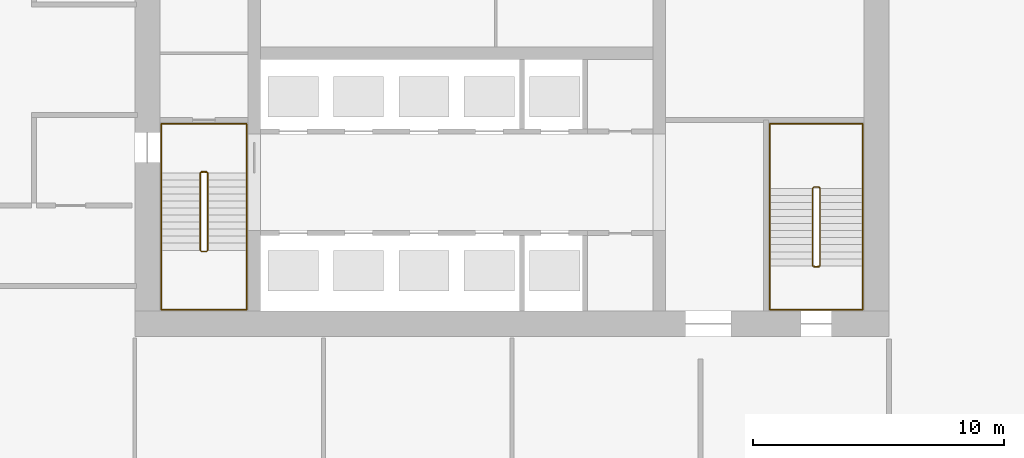
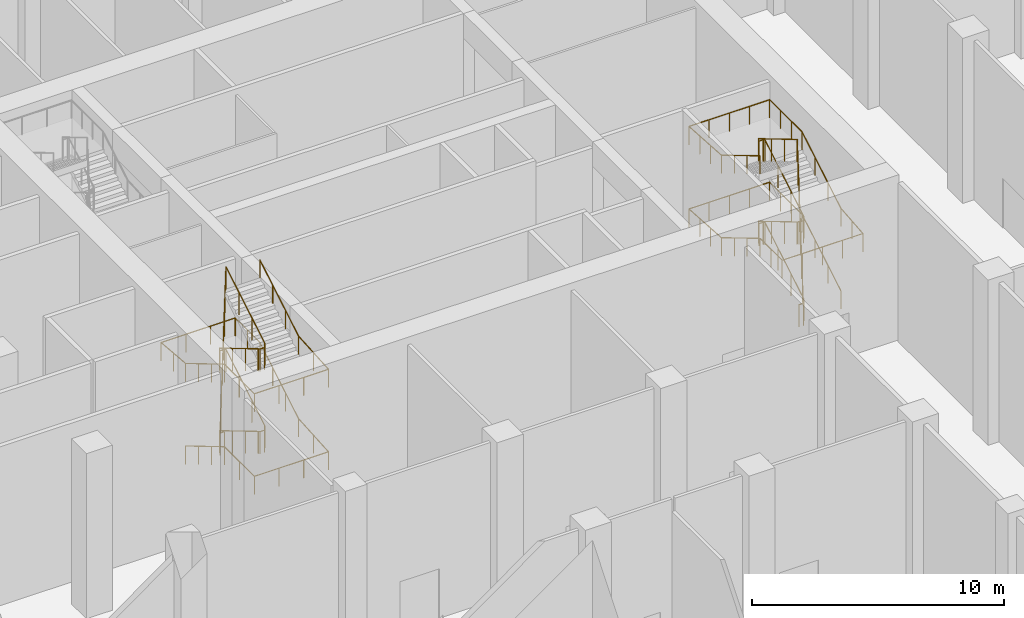
# One storey, part 41 of 57: 4 railings.
"""IFC4 building model written with IfcOpenShell, lengths in metres."""

from ifc_helpers import new_model, si_unit, direction, frame, origin, origin_2d, place, context, subcontext, project, spatial, circle, extrude, material, type_object, element, save


model = new_model("IFC4")

# Units and contexts
model_context = context("Model", 3, precision=1e-05, world=origin(), true_north=direction((0.0, 1.0)))
body_context = subcontext(model_context, "Body", "Model", "MODEL_VIEW")
ifc_project = project(units=[si_unit("LENGTHUNIT", "METRE"), si_unit("AREAUNIT", "SQUARE_METRE"), si_unit("VOLUMEUNIT", "CUBIC_METRE"), si_unit("PLANEANGLEUNIT", "RADIAN"), si_unit("MASSUNIT", "GRAM", prefix="KILO")], contexts=[model_context])

# Site, building, storey
site_placement = place(None, origin())
site = spatial("IfcSite", under=ifc_project, at=site_placement, CompositionType="ELEMENT")
building_placement = place(site_placement, origin())
building = spatial("IfcBuilding", under=site, at=building_placement, Name="Tamorin Gate", CompositionType="ELEMENT")
storey_placement = place(building_placement, origin())
storey = spatial("IfcBuildingStorey", under=building, at=storey_placement, Name="L00", CompositionType="ELEMENT", Elevation=0.0)

# Railings
ifc_material_1 = material(Name="Painted steel balustrade", Category="steel")
railing_type_1 = type_object("IfcRailingType", Name="Stair guard 1100", PredefinedType="GUARDRAIL", material=ifc_material_1)
railing_1_placement = place(storey_placement, frame((32.60009765625, 66.5, 0.166748046875)))
element("IfcRailing", 1, at=railing_1_placement, inside=storey, type_object=railing_type_1, Name="L00 ST1 stair guard 1", PredefinedType="GUARDRAIL", context=body_context, shape_type="SweptSolid", body=[
    extrude(circle(Radius=0.02392578125, at=origin_2d()), frame((0.0, 0.0, 1.076171875), z_axis=(0.0, -0.859308565015, 0.511457515432), x_axis=(1.0, 0.0, 0.0)), (0.0, 0.0, 1.0), 3.58447265625),
    extrude(circle(Radius=0.02392578125, at=origin_2d()), frame((0.0, -3.080078125, 2.9091796875), z_axis=(0.707106781187, -0.707106781187, 0.0), x_axis=(0.707106781187, 0.707106781187, 0.0)), (0.0, 0.0, 1.0), 0.0703125),
    extrude(circle(Radius=0.02392578125, at=origin_2d()), frame((0.0498046875, -3.1298828125, 2.9091796875), z_axis=(1.0, 0.0, 0.0), x_axis=(0.0, 1.0, 0.0)), (0.0, 0.0, 1.0), 0.2001953125),
    extrude(circle(Radius=0.02392578125, at=origin_2d()), frame((0.25, -3.1298828125, 2.9091796875), z_axis=(0.275143339093, 0.275143339093, 0.92119068922), x_axis=(-0.707106781187, 0.707106781187, 0.0)), (0.0, 0.0, 1.0), 0.180908203125),
    extrude(circle(Radius=0.02392578125, at=origin_2d()), frame((0.2998046875, -3.080078125, 3.076171875), z_axis=(0.0, 0.859308565015, 0.511457515432), x_axis=(-1.0, 0.0, 0.0)), (0.0, 0.0, 1.0), 3.58447265625),
    extrude(circle(Radius=0.02392578125, at=origin_2d()), frame((0.2998046875, 0.0, 4.9091796875), z_axis=(-0.98054382908, 0.196300278283, 0.0), x_axis=(-0.196300278283, -0.98054382908, 0.0)), (0.0, 0.0, 1.0), 0.2548828125),
    extrude(circle(Radius=0.02392578125, at=origin_2d()), frame((0.0498046875, 0.050048828125, 4.9091796875), z_axis=(1.0, 0.0, 0.0), x_axis=(0.0, 1.0, 0.0)), (0.0, 0.0, 1.0), 0.2001953125),
    extrude(circle(Radius=0.02392578125, at=origin_2d()), frame((0.25, 0.050048828125, 4.9091796875), z_axis=(-0.820621892478, -0.164284656209, 0.547348391174), x_axis=(0.196300278283, -0.98054382908, 0.0)), (0.0, 0.0, 1.0), 0.3046875),
    extrude(circle(Radius=0.02392578125, at=origin_2d()), frame((0.0, 0.0, 5.076171875), z_axis=(0.0, -0.859308565015, 0.511457515432), x_axis=(1.0, 0.0, 0.0)), (0.0, 0.0, 1.0), 3.58447265625),
    extrude(circle(Radius=0.02392578125, at=origin_2d()), frame((0.0, -3.080078125, 6.9091796875), z_axis=(0.707106781187, -0.707106781187, 0.0), x_axis=(0.707106781187, 0.707106781187, 0.0)), (0.0, 0.0, 1.0), 0.0703125),
    extrude(circle(Radius=0.02392578125, at=origin_2d()), frame((0.0498046875, -3.1298828125, 6.9091796875), z_axis=(1.0, 0.0, 0.0), x_axis=(0.0, 1.0, 0.0)), (0.0, 0.0, 1.0), 0.2001953125),
    extrude(circle(Radius=0.02392578125, at=origin_2d()), frame((0.25, -3.1298828125, 6.9091796875), z_axis=(0.275143339093, 0.275143339093, 0.92119068922), x_axis=(-0.707106781187, 0.707106781187, 0.0)), (0.0, 0.0, 1.0), 0.180908203125),
    extrude(circle(Radius=0.02392578125, at=origin_2d()), frame((0.2998046875, -3.080078125, 7.076171875), z_axis=(0.0, 0.859308565015, 0.511457515432), x_axis=(-1.0, 0.0, 0.0)), (0.0, 0.0, 1.0), 3.58447265625),
    extrude(circle(Radius=0.02392578125, at=origin_2d()), frame((0.2998046875, 0.0, 8.9091796875), z_axis=(-0.031234141746, 0.006252928768, -0.999492535876), x_axis=(-0.196300278283, -0.98054382908, 0.0)), (0.0, 0.0, 1.0), 8.004150390625),
    extrude(circle(Radius=0.02392578125, at=origin_2d()), frame((0.0498046875, 0.050048828125, 0.9091796875), z_axis=(1.0, 0.0, 0.0), x_axis=(0.0, 1.0, 0.0)), (0.0, 0.0, 1.0), 0.2001953125),
    extrude(circle(Radius=0.02099609375, at=origin_2d()), origin(), (0.0, 0.0, 1.0), 1.052001953125),
    extrude(circle(Radius=0.02099609375, at=origin_2d()), frame((0.0, -1.026611328125, 0.611083984375)), (0.0, 0.0, 1.0), 1.052001953125),
    extrude(circle(Radius=0.02099609375, at=origin_2d()), frame((0.0, -2.053466796875, 1.22216796875)), (0.0, 0.0, 1.0), 1.052001953125),
    extrude(circle(Radius=0.02099609375, at=origin_2d()), frame((0.0, -3.080078125, 1.833251953125)), (0.0, 0.0, 1.0), 1.052001953125),
    extrude(circle(Radius=0.02099609375, at=origin_2d()), frame((0.0498046875, -3.1298828125, 1.833251953125)), (0.0, 0.0, 1.0), 1.052001953125),
    extrude(circle(Radius=0.02099609375, at=origin_2d()), frame((0.25, -3.1298828125, 1.833251953125)), (0.0, 0.0, 1.0), 1.052001953125),
    extrude(circle(Radius=0.02099609375, at=origin_2d()), frame((0.2998046875, -3.080078125, 2.0)), (0.0, 0.0, 1.0), 1.052001953125),
    extrude(circle(Radius=0.02099609375, at=origin_2d()), frame((0.2998046875, -2.053466796875, 2.611083984375)), (0.0, 0.0, 1.0), 1.052001953125),
    extrude(circle(Radius=0.02099609375, at=origin_2d()), frame((0.2998046875, -1.026611328125, 3.22216796875)), (0.0, 0.0, 1.0), 1.052001953125),
    extrude(circle(Radius=0.02099609375, at=origin_2d()), frame((0.2998046875, 0.0, 3.833251953125)), (0.0, 0.0, 1.0), 1.052001953125),
    extrude(circle(Radius=0.02099609375, at=origin_2d()), frame((0.0498046875, 0.050048828125, 3.833251953125)), (0.0, 0.0, 1.0), 1.052001953125),
    extrude(circle(Radius=0.02099609375, at=origin_2d()), frame((0.25, 0.050048828125, 3.833251953125)), (0.0, 0.0, 1.0), 1.052001953125),
    extrude(circle(Radius=0.02099609375, at=origin_2d()), frame((0.0, 0.0, 4.0)), (0.0, 0.0, 1.0), 1.052001953125),
    extrude(circle(Radius=0.02099609375, at=origin_2d()), frame((0.0, -1.026611328125, 4.611083984375)), (0.0, 0.0, 1.0), 1.052001953125),
    extrude(circle(Radius=0.02099609375, at=origin_2d()), frame((0.0, -2.053466796875, 5.22216796875)), (0.0, 0.0, 1.0), 1.052001953125),
    extrude(circle(Radius=0.02099609375, at=origin_2d()), frame((0.0, -3.080078125, 5.833251953125)), (0.0, 0.0, 1.0), 1.052001953125),
    extrude(circle(Radius=0.02099609375, at=origin_2d()), frame((0.0498046875, -3.1298828125, 5.833251953125)), (0.0, 0.0, 1.0), 1.052001953125),
    extrude(circle(Radius=0.02099609375, at=origin_2d()), frame((0.25, -3.1298828125, 5.833251953125)), (0.0, 0.0, 1.0), 1.052001953125),
    extrude(circle(Radius=0.02099609375, at=origin_2d()), frame((0.2998046875, -3.080078125, 6.0)), (0.0, 0.0, 1.0), 1.052001953125),
    extrude(circle(Radius=0.02099609375, at=origin_2d()), frame((0.2998046875, -2.053466796875, 6.611083984375)), (0.0, 0.0, 1.0), 1.052001953125),
    extrude(circle(Radius=0.02099609375, at=origin_2d()), frame((0.2998046875, -1.026611328125, 7.22216796875)), (0.0, 0.0, 1.0), 1.052001953125),
    extrude(circle(Radius=0.02099609375, at=origin_2d()), frame((0.2998046875, 0.0, 7.833251953125)), (0.0, 0.0, 1.0), 1.052001953125),
    extrude(circle(Radius=0.02099609375, at=origin_2d()), frame((0.26416015625, 0.007080078125, 6.6904296875)), (0.0, 0.0, 1.0), 1.052001953125),
    extrude(circle(Radius=0.02099609375, at=origin_2d()), frame((0.228271484375, 0.014404296875, 5.547607421875)), (0.0, 0.0, 1.0), 1.052001953125),
    extrude(circle(Radius=0.02099609375, at=origin_2d()), frame((0.192626953125, 0.021484375, 4.40478515625)), (0.0, 0.0, 1.0), 1.052001953125),
    extrude(circle(Radius=0.02099609375, at=origin_2d()), frame((0.156982421875, 0.028564453125, 3.26171875)), (0.0, 0.0, 1.0), 1.052001953125),
    extrude(circle(Radius=0.02099609375, at=origin_2d()), frame((0.121337890625, 0.03564453125, 2.118896484375)), (0.0, 0.0, 1.0), 1.052001953125),
    extrude(circle(Radius=0.02099609375, at=origin_2d()), frame((0.08544921875, 0.04296875, 0.97607421875)), (0.0, 0.0, 1.0), 1.052001953125),
    extrude(circle(Radius=0.02099609375, at=origin_2d()), frame((0.0498046875, 0.050048828125, -0.166748046875)), (0.0, 0.0, 1.0), 1.052001953125),
    extrude(circle(Radius=0.02099609375, at=origin_2d()), frame((0.25, 0.050048828125, -0.166748046875)), (0.0, 0.0, 1.0), 1.052001953125),
])
railing_2_placement = place(storey_placement, frame((57.25, 62.800048828125, 0.166748046875)))
element("IfcRailing", 2, at=railing_2_placement, inside=storey, type_object=railing_type_1, Name="L00 ST3 stair guard 1", PredefinedType="GUARDRAIL", context=body_context, shape_type="SweptSolid", body=[
    extrude(circle(Radius=0.02392578125, at=origin_2d()), frame((0.0, 0.0, 1.076171875), z_axis=(0.0, 0.859290745958, 0.51148745235), x_axis=(-1.0, 0.0, 0.0)), (0.0, 0.0, 1.0), 3.584228515625),
    extrude(circle(Radius=0.02392578125, at=origin_2d()), frame((0.0, 3.079833984375, 2.9091796875), z_axis=(-0.707106781187, 0.707106781187, 0.0), x_axis=(-0.707106781187, -0.707106781187, 0.0)), (0.0, 0.0, 1.0), 0.07080078125),
    extrude(circle(Radius=0.02392578125, at=origin_2d()), frame((-0.050048828125, 3.1298828125, 2.9091796875), z_axis=(-1.0, 0.0, 0.0), x_axis=(0.0, -1.0, 0.0)), (0.0, 0.0, 1.0), 0.199951171875),
    extrude(circle(Radius=0.02392578125, at=origin_2d()), frame((-0.25, 3.1298828125, 2.9091796875), z_axis=(-0.27628659633, -0.27628659633, 0.920506074601), x_axis=(0.707106781187, -0.707106781187, 0.0)), (0.0, 0.0, 1.0), 0.18115234375),
    extrude(circle(Radius=0.02392578125, at=origin_2d()), frame((-0.300048828125, 3.079833984375, 3.076171875), z_axis=(0.0, -0.859290745958, 0.51148745235), x_axis=(1.0, 0.0, 0.0)), (0.0, 0.0, 1.0), 3.584228515625),
    extrude(circle(Radius=0.02392578125, at=origin_2d()), frame((-0.300048828125, 0.0, 4.9091796875), z_axis=(0.98054382908, -0.196300278283, 0.0), x_axis=(0.196300278283, 0.98054382908, 0.0)), (0.0, 0.0, 1.0), 0.2548828125),
    extrude(circle(Radius=0.02392578125, at=origin_2d()), frame((-0.050048828125, -0.050048828125, 4.9091796875), z_axis=(-1.0, 0.0, 0.0), x_axis=(0.0, -1.0, 0.0)), (0.0, 0.0, 1.0), 0.199951171875),
    extrude(circle(Radius=0.02392578125, at=origin_2d()), frame((-0.25, -0.050048828125, 4.9091796875), z_axis=(0.820621892478, 0.164284656209, 0.547348391174), x_axis=(-0.196300278283, 0.98054382908, 0.0)), (0.0, 0.0, 1.0), 0.3046875),
    extrude(circle(Radius=0.02392578125, at=origin_2d()), frame((0.0, 0.0, 5.076171875), z_axis=(0.0, 0.859290745958, 0.51148745235), x_axis=(-1.0, 0.0, 0.0)), (0.0, 0.0, 1.0), 3.584228515625),
    extrude(circle(Radius=0.02392578125, at=origin_2d()), frame((0.0, 3.079833984375, 6.9091796875), z_axis=(-0.707106781187, 0.707106781187, 0.0), x_axis=(-0.707106781187, -0.707106781187, 0.0)), (0.0, 0.0, 1.0), 0.07080078125),
    extrude(circle(Radius=0.02392578125, at=origin_2d()), frame((-0.050048828125, 3.1298828125, 6.9091796875), z_axis=(-1.0, 0.0, 0.0), x_axis=(0.0, -1.0, 0.0)), (0.0, 0.0, 1.0), 0.199951171875),
    extrude(circle(Radius=0.02392578125, at=origin_2d()), frame((-0.25, 3.1298828125, 6.9091796875), z_axis=(-0.27628659633, -0.27628659633, 0.920506074601), x_axis=(0.707106781187, -0.707106781187, 0.0)), (0.0, 0.0, 1.0), 0.18115234375),
    extrude(circle(Radius=0.02392578125, at=origin_2d()), frame((-0.300048828125, 3.079833984375, 7.076171875), z_axis=(0.0, -0.859290745958, 0.51148745235), x_axis=(1.0, 0.0, 0.0)), (0.0, 0.0, 1.0), 3.584228515625),
    extrude(circle(Radius=0.02392578125, at=origin_2d()), frame((-0.300048828125, 0.0, 8.9091796875), z_axis=(0.031234141746, -0.006252928768, -0.999492535876), x_axis=(0.196300278283, 0.98054382908, 0.0)), (0.0, 0.0, 1.0), 8.004150390625),
    extrude(circle(Radius=0.02392578125, at=origin_2d()), frame((-0.050048828125, -0.050048828125, 0.9091796875), z_axis=(-1.0, 0.0, 0.0), x_axis=(0.0, -1.0, 0.0)), (0.0, 0.0, 1.0), 0.199951171875),
    extrude(circle(Radius=0.02099609375, at=origin_2d()), origin(), (0.0, 0.0, 1.0), 1.052001953125),
    extrude(circle(Radius=0.02099609375, at=origin_2d()), frame((0.0, 1.026611328125, 0.611083984375)), (0.0, 0.0, 1.0), 1.052001953125),
    extrude(circle(Radius=0.02099609375, at=origin_2d()), frame((0.0, 2.05322265625, 1.22216796875)), (0.0, 0.0, 1.0), 1.052001953125),
    extrude(circle(Radius=0.02099609375, at=origin_2d()), frame((0.0, 3.079833984375, 1.833251953125)), (0.0, 0.0, 1.0), 1.052001953125),
    extrude(circle(Radius=0.02099609375, at=origin_2d()), frame((-0.050048828125, 3.1298828125, 1.833251953125)), (0.0, 0.0, 1.0), 1.052001953125),
    extrude(circle(Radius=0.02099609375, at=origin_2d()), frame((-0.25, 3.1298828125, 1.833251953125)), (0.0, 0.0, 1.0), 1.052001953125),
    extrude(circle(Radius=0.02099609375, at=origin_2d()), frame((-0.300048828125, 3.079833984375, 2.0)), (0.0, 0.0, 1.0), 1.052001953125),
    extrude(circle(Radius=0.02099609375, at=origin_2d()), frame((-0.300048828125, 2.05322265625, 2.611083984375)), (0.0, 0.0, 1.0), 1.052001953125),
    extrude(circle(Radius=0.02099609375, at=origin_2d()), frame((-0.300048828125, 1.026611328125, 3.22216796875)), (0.0, 0.0, 1.0), 1.052001953125),
    extrude(circle(Radius=0.02099609375, at=origin_2d()), frame((-0.300048828125, 0.0, 3.833251953125)), (0.0, 0.0, 1.0), 1.052001953125),
    extrude(circle(Radius=0.02099609375, at=origin_2d()), frame((-0.050048828125, -0.050048828125, 3.833251953125)), (0.0, 0.0, 1.0), 1.052001953125),
    extrude(circle(Radius=0.02099609375, at=origin_2d()), frame((-0.25, -0.050048828125, 3.833251953125)), (0.0, 0.0, 1.0), 1.052001953125),
    extrude(circle(Radius=0.02099609375, at=origin_2d()), frame((0.0, 0.0, 4.0)), (0.0, 0.0, 1.0), 1.052001953125),
    extrude(circle(Radius=0.02099609375, at=origin_2d()), frame((0.0, 1.026611328125, 4.611083984375)), (0.0, 0.0, 1.0), 1.052001953125),
    extrude(circle(Radius=0.02099609375, at=origin_2d()), frame((0.0, 2.05322265625, 5.22216796875)), (0.0, 0.0, 1.0), 1.052001953125),
    extrude(circle(Radius=0.02099609375, at=origin_2d()), frame((0.0, 3.079833984375, 5.833251953125)), (0.0, 0.0, 1.0), 1.052001953125),
    extrude(circle(Radius=0.02099609375, at=origin_2d()), frame((-0.050048828125, 3.1298828125, 5.833251953125)), (0.0, 0.0, 1.0), 1.052001953125),
    extrude(circle(Radius=0.02099609375, at=origin_2d()), frame((-0.25, 3.1298828125, 5.833251953125)), (0.0, 0.0, 1.0), 1.052001953125),
    extrude(circle(Radius=0.02099609375, at=origin_2d()), frame((-0.300048828125, 3.079833984375, 6.0)), (0.0, 0.0, 1.0), 1.052001953125),
    extrude(circle(Radius=0.02099609375, at=origin_2d()), frame((-0.300048828125, 2.05322265625, 6.611083984375)), (0.0, 0.0, 1.0), 1.052001953125),
    extrude(circle(Radius=0.02099609375, at=origin_2d()), frame((-0.300048828125, 1.026611328125, 7.22216796875)), (0.0, 0.0, 1.0), 1.052001953125),
    extrude(circle(Radius=0.02099609375, at=origin_2d()), frame((-0.300048828125, 0.0, 7.833251953125)), (0.0, 0.0, 1.0), 1.052001953125),
    extrude(circle(Radius=0.02099609375, at=origin_2d()), frame((-0.264404296875, -0.007080078125, 6.6904296875)), (0.0, 0.0, 1.0), 1.052001953125),
    extrude(circle(Radius=0.02099609375, at=origin_2d()), frame((-0.228515625, -0.014404296875, 5.547607421875)), (0.0, 0.0, 1.0), 1.052001953125),
    extrude(circle(Radius=0.02099609375, at=origin_2d()), frame((-0.19287109375, -0.021484375, 4.40478515625)), (0.0, 0.0, 1.0), 1.052001953125),
    extrude(circle(Radius=0.02099609375, at=origin_2d()), frame((-0.1572265625, -0.028564453125, 3.26171875)), (0.0, 0.0, 1.0), 1.052001953125),
    extrude(circle(Radius=0.02099609375, at=origin_2d()), frame((-0.12158203125, -0.03564453125, 2.118896484375)), (0.0, 0.0, 1.0), 1.052001953125),
    extrude(circle(Radius=0.02099609375, at=origin_2d()), frame((-0.085693359375, -0.04296875, 0.97607421875)), (0.0, 0.0, 1.0), 1.052001953125),
    extrude(circle(Radius=0.02099609375, at=origin_2d()), frame((-0.050048828125, -0.050048828125, -0.166748046875)), (0.0, 0.0, 1.0), 1.052001953125),
    extrude(circle(Radius=0.02099609375, at=origin_2d()), frame((-0.25, -0.050048828125, -0.166748046875)), (0.0, 0.0, 1.0), 1.052001953125),
])
ifc_material_2 = material(Name="Painted steel handrail", Category="steel")
railing_type_2 = type_object("IfcRailingType", Name="Stair handrail 900", PredefinedType="HANDRAIL", material=ifc_material_2)
railing_3_placement = place(storey_placement, frame((31.050048828125, 66.5, 0.166748046875)))
element("IfcRailing", 3, at=railing_3_placement, inside=storey, type_object=railing_type_2, Name="L00 ST1 stair handrail 1", PredefinedType="HANDRAIL", context=body_context, shape_type="SweptSolid", body=[
    extrude(circle(Radius=0.02392578125, at=origin_2d()), frame((0.0, 0.0, 0.8759765625), z_axis=(0.0, -0.859308565015, 0.511457515432), x_axis=(1.0, 0.0, 0.0)), (0.0, 0.0, 1.0), 3.58447265625),
    extrude(circle(Radius=0.02392578125, at=origin_2d()), frame((0.0, -3.080078125, 2.708984375), z_axis=(0.0, -1.0, 0.0), x_axis=(1.0, 0.0, 0.0)), (0.0, 0.0, 1.0), 2.369873046875),
    extrude(circle(Radius=0.02392578125, at=origin_2d()), frame((0.0, -5.449951171875, 2.708984375), z_axis=(1.0, 0.0, 0.0), x_axis=(0.0, 1.0, 0.0)), (0.0, 0.0, 1.0), 3.39990234375),
    extrude(circle(Radius=0.02392578125, at=origin_2d()), frame((3.39990234375, -5.449951171875, 2.708984375), z_axis=(0.0, 0.997533776475, 0.070188067305), x_axis=(-1.0, 0.0, 0.0)), (0.0, 0.0, 1.0), 2.375732421875),
    extrude(circle(Radius=0.02392578125, at=origin_2d()), frame((3.39990234375, -3.080078125, 2.8759765625), z_axis=(0.0, 0.859308565015, 0.511457515432), x_axis=(-1.0, 0.0, 0.0)), (0.0, 0.0, 1.0), 3.58447265625),
    extrude(circle(Radius=0.02392578125, at=origin_2d()), frame((3.39990234375, 0.0, 4.708984375), z_axis=(0.0, 1.0, 0.0), x_axis=(-1.0, 0.0, 0.0)), (0.0, 0.0, 1.0), 1.949951171875),
    extrude(circle(Radius=0.02392578125, at=origin_2d()), frame((3.39990234375, 1.949951171875, 4.708984375), z_axis=(-1.0, 0.0, 0.0), x_axis=(0.0, -1.0, 0.0)), (0.0, 0.0, 1.0), 3.39990234375),
    extrude(circle(Radius=0.02392578125, at=origin_2d()), frame((0.0, 1.949951171875, 4.708984375), z_axis=(0.0, -0.996363612883, 0.085202998322), x_axis=(1.0, 0.0, 0.0)), (0.0, 0.0, 1.0), 1.95703125),
    extrude(circle(Radius=0.02392578125, at=origin_2d()), frame((0.0, 0.0, 4.8759765625), z_axis=(0.0, -0.859308565015, 0.511457515432), x_axis=(1.0, 0.0, 0.0)), (0.0, 0.0, 1.0), 3.58447265625),
    extrude(circle(Radius=0.02392578125, at=origin_2d()), frame((0.0, -3.080078125, 6.708984375), z_axis=(0.0, -1.0, 0.0), x_axis=(1.0, 0.0, 0.0)), (0.0, 0.0, 1.0), 2.369873046875),
    extrude(circle(Radius=0.02392578125, at=origin_2d()), frame((0.0, -5.449951171875, 6.708984375), z_axis=(1.0, 0.0, 0.0), x_axis=(0.0, 1.0, 0.0)), (0.0, 0.0, 1.0), 3.39990234375),
    extrude(circle(Radius=0.02392578125, at=origin_2d()), frame((3.39990234375, -5.449951171875, 6.708984375), z_axis=(0.0, 0.997533776475, 0.070188067305), x_axis=(-1.0, 0.0, 0.0)), (0.0, 0.0, 1.0), 2.375732421875),
    extrude(circle(Radius=0.02392578125, at=origin_2d()), frame((3.39990234375, -3.080078125, 6.8759765625), z_axis=(0.0, 0.859308565015, 0.511457515432), x_axis=(-1.0, 0.0, 0.0)), (0.0, 0.0, 1.0), 3.58447265625),
    extrude(circle(Radius=0.02099609375, at=origin_2d()), origin(), (0.0, 0.0, 1.0), 0.851806640625),
    extrude(circle(Radius=0.02099609375, at=origin_2d()), frame((0.0, -1.026611328125, 0.611083984375)), (0.0, 0.0, 1.0), 0.851806640625),
    extrude(circle(Radius=0.02099609375, at=origin_2d()), frame((0.0, -2.053466796875, 1.22216796875)), (0.0, 0.0, 1.0), 0.851806640625),
    extrude(circle(Radius=0.02099609375, at=origin_2d()), frame((0.0, -3.080078125, 1.833251953125)), (0.0, 0.0, 1.0), 0.851806640625),
    extrude(circle(Radius=0.02099609375, at=origin_2d()), frame((0.0, -4.26513671875, 1.833251953125)), (0.0, 0.0, 1.0), 0.851806640625),
    extrude(circle(Radius=0.02099609375, at=origin_2d()), frame((0.0, -5.449951171875, 1.833251953125)), (0.0, 0.0, 1.0), 0.851806640625),
    extrude(circle(Radius=0.02099609375, at=origin_2d()), frame((1.13330078125, -5.449951171875, 1.833251953125)), (0.0, 0.0, 1.0), 0.851806640625),
    extrude(circle(Radius=0.02099609375, at=origin_2d()), frame((2.2666015625, -5.449951171875, 1.833251953125)), (0.0, 0.0, 1.0), 0.851806640625),
    extrude(circle(Radius=0.02099609375, at=origin_2d()), frame((3.39990234375, -5.449951171875, 1.833251953125)), (0.0, 0.0, 1.0), 0.851806640625),
    extrude(circle(Radius=0.02099609375, at=origin_2d()), frame((3.39990234375, -4.26513671875, 1.91650390625)), (0.0, 0.0, 1.0), 0.851806640625),
    extrude(circle(Radius=0.02099609375, at=origin_2d()), frame((3.39990234375, -3.080078125, 2.0)), (0.0, 0.0, 1.0), 0.851806640625),
    extrude(circle(Radius=0.02099609375, at=origin_2d()), frame((3.39990234375, -2.053466796875, 2.611083984375)), (0.0, 0.0, 1.0), 0.851806640625),
    extrude(circle(Radius=0.02099609375, at=origin_2d()), frame((3.39990234375, -1.026611328125, 3.22216796875)), (0.0, 0.0, 1.0), 0.851806640625),
    extrude(circle(Radius=0.02099609375, at=origin_2d()), frame((3.39990234375, 0.0, 3.833251953125)), (0.0, 0.0, 1.0), 0.851806640625),
    extrude(circle(Radius=0.02099609375, at=origin_2d()), frame((3.39990234375, 0.97509765625, 3.833251953125)), (0.0, 0.0, 1.0), 0.851806640625),
    extrude(circle(Radius=0.02099609375, at=origin_2d()), frame((3.39990234375, 1.949951171875, 3.833251953125)), (0.0, 0.0, 1.0), 0.851806640625),
    extrude(circle(Radius=0.02099609375, at=origin_2d()), frame((2.2666015625, 1.949951171875, 3.833251953125)), (0.0, 0.0, 1.0), 0.851806640625),
    extrude(circle(Radius=0.02099609375, at=origin_2d()), frame((1.13330078125, 1.949951171875, 3.833251953125)), (0.0, 0.0, 1.0), 0.851806640625),
    extrude(circle(Radius=0.02099609375, at=origin_2d()), frame((0.0, 1.949951171875, 3.833251953125)), (0.0, 0.0, 1.0), 0.851806640625),
    extrude(circle(Radius=0.02099609375, at=origin_2d()), frame((0.0, 0.97509765625, 3.91650390625)), (0.0, 0.0, 1.0), 0.851806640625),
    extrude(circle(Radius=0.02099609375, at=origin_2d()), frame((0.0, 0.0, 4.0)), (0.0, 0.0, 1.0), 0.851806640625),
    extrude(circle(Radius=0.02099609375, at=origin_2d()), frame((0.0, -1.026611328125, 4.611083984375)), (0.0, 0.0, 1.0), 0.851806640625),
    extrude(circle(Radius=0.02099609375, at=origin_2d()), frame((0.0, -2.053466796875, 5.22216796875)), (0.0, 0.0, 1.0), 0.851806640625),
    extrude(circle(Radius=0.02099609375, at=origin_2d()), frame((0.0, -3.080078125, 5.833251953125)), (0.0, 0.0, 1.0), 0.851806640625),
    extrude(circle(Radius=0.02099609375, at=origin_2d()), frame((0.0, -4.26513671875, 5.833251953125)), (0.0, 0.0, 1.0), 0.851806640625),
    extrude(circle(Radius=0.02099609375, at=origin_2d()), frame((0.0, -5.449951171875, 5.833251953125)), (0.0, 0.0, 1.0), 0.851806640625),
    extrude(circle(Radius=0.02099609375, at=origin_2d()), frame((1.13330078125, -5.449951171875, 5.833251953125)), (0.0, 0.0, 1.0), 0.851806640625),
    extrude(circle(Radius=0.02099609375, at=origin_2d()), frame((2.2666015625, -5.449951171875, 5.833251953125)), (0.0, 0.0, 1.0), 0.851806640625),
    extrude(circle(Radius=0.02099609375, at=origin_2d()), frame((3.39990234375, -5.449951171875, 5.833251953125)), (0.0, 0.0, 1.0), 0.851806640625),
    extrude(circle(Radius=0.02099609375, at=origin_2d()), frame((3.39990234375, -4.26513671875, 5.91650390625)), (0.0, 0.0, 1.0), 0.851806640625),
    extrude(circle(Radius=0.02099609375, at=origin_2d()), frame((3.39990234375, -3.080078125, 6.0)), (0.0, 0.0, 1.0), 0.851806640625),
    extrude(circle(Radius=0.02099609375, at=origin_2d()), frame((3.39990234375, -2.053466796875, 6.611083984375)), (0.0, 0.0, 1.0), 0.851806640625),
    extrude(circle(Radius=0.02099609375, at=origin_2d()), frame((3.39990234375, -1.026611328125, 7.22216796875)), (0.0, 0.0, 1.0), 0.851806640625),
    extrude(circle(Radius=0.02099609375, at=origin_2d()), frame((3.39990234375, 0.0, 7.833251953125)), (0.0, 0.0, 1.0), 0.851806640625),
])
railing_4_placement = place(storey_placement, frame((58.949951171875, 62.800048828125, 0.166748046875)))
element("IfcRailing", 4, at=railing_4_placement, inside=storey, type_object=railing_type_2, Name="L00 ST3 stair handrail 1", PredefinedType="HANDRAIL", context=body_context, shape_type="SweptSolid", body=[
    extrude(circle(Radius=0.02392578125, at=origin_2d()), frame((0.0, 0.0, 0.8759765625), z_axis=(0.0, 0.859290745958, 0.51148745235), x_axis=(-1.0, 0.0, 0.0)), (0.0, 0.0, 1.0), 3.584228515625),
    extrude(circle(Radius=0.02392578125, at=origin_2d()), frame((0.0, 3.079833984375, 2.708984375), z_axis=(0.0, 1.0, 0.0), x_axis=(-1.0, 0.0, 0.0)), (0.0, 0.0, 1.0), 2.570068359375),
    extrude(circle(Radius=0.02392578125, at=origin_2d()), frame((0.0, 5.64990234375, 2.708984375), z_axis=(-1.0, 0.0, 0.0), x_axis=(0.0, -1.0, 0.0)), (0.0, 0.0, 1.0), 3.699951171875),
    extrude(circle(Radius=0.02392578125, at=origin_2d()), frame((-3.699951171875, 5.64990234375, 2.708984375), z_axis=(0.0, -0.9979018638, 0.06474465403), x_axis=(1.0, 0.0, 0.0)), (0.0, 0.0, 1.0), 2.575439453125),
    extrude(circle(Radius=0.02392578125, at=origin_2d()), frame((-3.699951171875, 3.079833984375, 2.8759765625), z_axis=(0.0, -0.859290745958, 0.51148745235), x_axis=(1.0, 0.0, 0.0)), (0.0, 0.0, 1.0), 3.584228515625),
    extrude(circle(Radius=0.02392578125, at=origin_2d()), frame((-3.699951171875, 0.0, 4.708984375), z_axis=(0.0, -1.0, 0.0), x_axis=(1.0, 0.0, 0.0)), (0.0, 0.0, 1.0), 1.75),
    extrude(circle(Radius=0.02392578125, at=origin_2d()), frame((-3.699951171875, -1.75, 4.708984375), z_axis=(1.0, 0.0, 0.0), x_axis=(0.0, 1.0, 0.0)), (0.0, 0.0, 1.0), 3.699951171875),
    extrude(circle(Radius=0.02392578125, at=origin_2d()), frame((0.0, -1.75, 4.708984375), z_axis=(0.0, 0.995491102282, 0.094854969707), x_axis=(-1.0, 0.0, 0.0)), (0.0, 0.0, 1.0), 1.7578125),
    extrude(circle(Radius=0.02392578125, at=origin_2d()), frame((0.0, 0.0, 4.8759765625), z_axis=(0.0, 0.859290745958, 0.51148745235), x_axis=(-1.0, 0.0, 0.0)), (0.0, 0.0, 1.0), 3.584228515625),
    extrude(circle(Radius=0.02392578125, at=origin_2d()), frame((0.0, 3.079833984375, 6.708984375), z_axis=(0.0, 1.0, 0.0), x_axis=(-1.0, 0.0, 0.0)), (0.0, 0.0, 1.0), 2.570068359375),
    extrude(circle(Radius=0.02392578125, at=origin_2d()), frame((0.0, 5.64990234375, 6.708984375), z_axis=(-1.0, 0.0, 0.0), x_axis=(0.0, -1.0, 0.0)), (0.0, 0.0, 1.0), 3.699951171875),
    extrude(circle(Radius=0.02392578125, at=origin_2d()), frame((-3.699951171875, 5.64990234375, 6.708984375), z_axis=(0.0, -0.9979018638, 0.06474465403), x_axis=(1.0, 0.0, 0.0)), (0.0, 0.0, 1.0), 2.575439453125),
    extrude(circle(Radius=0.02392578125, at=origin_2d()), frame((-3.699951171875, 3.079833984375, 6.8759765625), z_axis=(0.0, -0.859290745958, 0.51148745235), x_axis=(1.0, 0.0, 0.0)), (0.0, 0.0, 1.0), 3.584228515625),
    extrude(circle(Radius=0.02099609375, at=origin_2d()), origin(), (0.0, 0.0, 1.0), 0.851806640625),
    extrude(circle(Radius=0.02099609375, at=origin_2d()), frame((0.0, 1.026611328125, 0.611083984375)), (0.0, 0.0, 1.0), 0.851806640625),
    extrude(circle(Radius=0.02099609375, at=origin_2d()), frame((0.0, 2.05322265625, 1.22216796875)), (0.0, 0.0, 1.0), 0.851806640625),
    extrude(circle(Radius=0.02099609375, at=origin_2d()), frame((0.0, 3.079833984375, 1.833251953125)), (0.0, 0.0, 1.0), 0.851806640625),
    extrude(circle(Radius=0.02099609375, at=origin_2d()), frame((0.0, 3.9365234375, 1.833251953125)), (0.0, 0.0, 1.0), 0.851806640625),
    extrude(circle(Radius=0.02099609375, at=origin_2d()), frame((0.0, 4.793212890625, 1.833251953125)), (0.0, 0.0, 1.0), 0.851806640625),
    extrude(circle(Radius=0.02099609375, at=origin_2d()), frame((0.0, 5.64990234375, 1.833251953125)), (0.0, 0.0, 1.0), 0.851806640625),
    extrude(circle(Radius=0.02099609375, at=origin_2d()), frame((-0.925048828125, 5.64990234375, 1.833251953125)), (0.0, 0.0, 1.0), 0.851806640625),
    extrude(circle(Radius=0.02099609375, at=origin_2d()), frame((-1.85009765625, 5.64990234375, 1.833251953125)), (0.0, 0.0, 1.0), 0.851806640625),
    extrude(circle(Radius=0.02099609375, at=origin_2d()), frame((-2.77490234375, 5.64990234375, 1.833251953125)), (0.0, 0.0, 1.0), 0.851806640625),
    extrude(circle(Radius=0.02099609375, at=origin_2d()), frame((-3.699951171875, 5.64990234375, 1.833251953125)), (0.0, 0.0, 1.0), 0.851806640625),
    extrude(circle(Radius=0.02099609375, at=origin_2d()), frame((-3.699951171875, 4.793212890625, 1.888916015625)), (0.0, 0.0, 1.0), 0.851806640625),
    extrude(circle(Radius=0.02099609375, at=origin_2d()), frame((-3.699951171875, 3.9365234375, 1.9443359375)), (0.0, 0.0, 1.0), 0.851806640625),
    extrude(circle(Radius=0.02099609375, at=origin_2d()), frame((-3.699951171875, 3.079833984375, 2.0)), (0.0, 0.0, 1.0), 0.851806640625),
    extrude(circle(Radius=0.02099609375, at=origin_2d()), frame((-3.699951171875, 2.05322265625, 2.611083984375)), (0.0, 0.0, 1.0), 0.851806640625),
    extrude(circle(Radius=0.02099609375, at=origin_2d()), frame((-3.699951171875, 1.026611328125, 3.22216796875)), (0.0, 0.0, 1.0), 0.851806640625),
    extrude(circle(Radius=0.02099609375, at=origin_2d()), frame((-3.699951171875, 0.0, 3.833251953125)), (0.0, 0.0, 1.0), 0.851806640625),
    extrude(circle(Radius=0.02099609375, at=origin_2d()), frame((-3.699951171875, -0.875, 3.833251953125)), (0.0, 0.0, 1.0), 0.851806640625),
    extrude(circle(Radius=0.02099609375, at=origin_2d()), frame((-3.699951171875, -1.75, 3.833251953125)), (0.0, 0.0, 1.0), 0.851806640625),
    extrude(circle(Radius=0.02099609375, at=origin_2d()), frame((-2.77490234375, -1.75, 3.833251953125)), (0.0, 0.0, 1.0), 0.851806640625),
    extrude(circle(Radius=0.02099609375, at=origin_2d()), frame((-1.85009765625, -1.75, 3.833251953125)), (0.0, 0.0, 1.0), 0.851806640625),
    extrude(circle(Radius=0.02099609375, at=origin_2d()), frame((-0.925048828125, -1.75, 3.833251953125)), (0.0, 0.0, 1.0), 0.851806640625),
    extrude(circle(Radius=0.02099609375, at=origin_2d()), frame((0.0, -1.75, 3.833251953125)), (0.0, 0.0, 1.0), 0.851806640625),
    extrude(circle(Radius=0.02099609375, at=origin_2d()), frame((0.0, -0.875, 3.91650390625)), (0.0, 0.0, 1.0), 0.851806640625),
    extrude(circle(Radius=0.02099609375, at=origin_2d()), frame((0.0, 0.0, 4.0)), (0.0, 0.0, 1.0), 0.851806640625),
    extrude(circle(Radius=0.02099609375, at=origin_2d()), frame((0.0, 1.026611328125, 4.611083984375)), (0.0, 0.0, 1.0), 0.851806640625),
    extrude(circle(Radius=0.02099609375, at=origin_2d()), frame((0.0, 2.05322265625, 5.22216796875)), (0.0, 0.0, 1.0), 0.851806640625),
    extrude(circle(Radius=0.02099609375, at=origin_2d()), frame((0.0, 3.079833984375, 5.833251953125)), (0.0, 0.0, 1.0), 0.851806640625),
    extrude(circle(Radius=0.02099609375, at=origin_2d()), frame((0.0, 3.9365234375, 5.833251953125)), (0.0, 0.0, 1.0), 0.851806640625),
    extrude(circle(Radius=0.02099609375, at=origin_2d()), frame((0.0, 4.793212890625, 5.833251953125)), (0.0, 0.0, 1.0), 0.851806640625),
    extrude(circle(Radius=0.02099609375, at=origin_2d()), frame((0.0, 5.64990234375, 5.833251953125)), (0.0, 0.0, 1.0), 0.851806640625),
    extrude(circle(Radius=0.02099609375, at=origin_2d()), frame((-0.925048828125, 5.64990234375, 5.833251953125)), (0.0, 0.0, 1.0), 0.851806640625),
    extrude(circle(Radius=0.02099609375, at=origin_2d()), frame((-1.85009765625, 5.64990234375, 5.833251953125)), (0.0, 0.0, 1.0), 0.851806640625),
    extrude(circle(Radius=0.02099609375, at=origin_2d()), frame((-2.77490234375, 5.64990234375, 5.833251953125)), (0.0, 0.0, 1.0), 0.851806640625),
    extrude(circle(Radius=0.02099609375, at=origin_2d()), frame((-3.699951171875, 5.64990234375, 5.833251953125)), (0.0, 0.0, 1.0), 0.851806640625),
    extrude(circle(Radius=0.02099609375, at=origin_2d()), frame((-3.699951171875, 4.793212890625, 5.888916015625)), (0.0, 0.0, 1.0), 0.851806640625),
    extrude(circle(Radius=0.02099609375, at=origin_2d()), frame((-3.699951171875, 3.9365234375, 5.9443359375)), (0.0, 0.0, 1.0), 0.851806640625),
    extrude(circle(Radius=0.02099609375, at=origin_2d()), frame((-3.699951171875, 3.079833984375, 6.0)), (0.0, 0.0, 1.0), 0.851806640625),
    extrude(circle(Radius=0.02099609375, at=origin_2d()), frame((-3.699951171875, 2.05322265625, 6.611083984375)), (0.0, 0.0, 1.0), 0.851806640625),
    extrude(circle(Radius=0.02099609375, at=origin_2d()), frame((-3.699951171875, 1.026611328125, 7.22216796875)), (0.0, 0.0, 1.0), 0.851806640625),
    extrude(circle(Radius=0.02099609375, at=origin_2d()), frame((-3.699951171875, 0.0, 7.833251953125)), (0.0, 0.0, 1.0), 0.851806640625),
])

save(model, "model.ifc")
